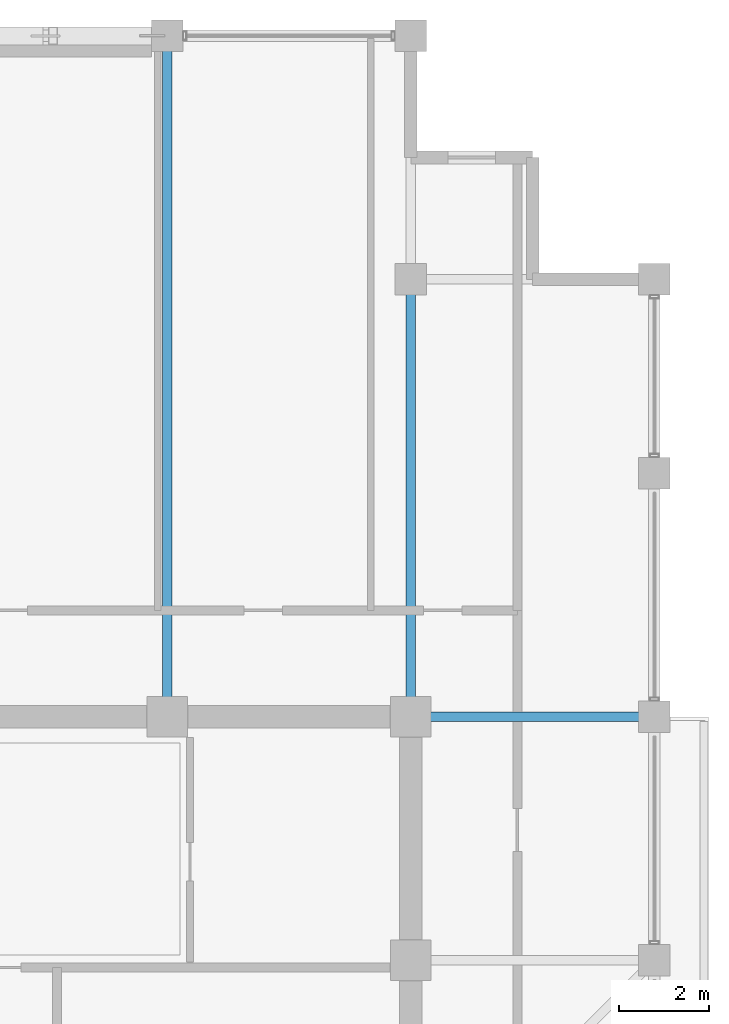
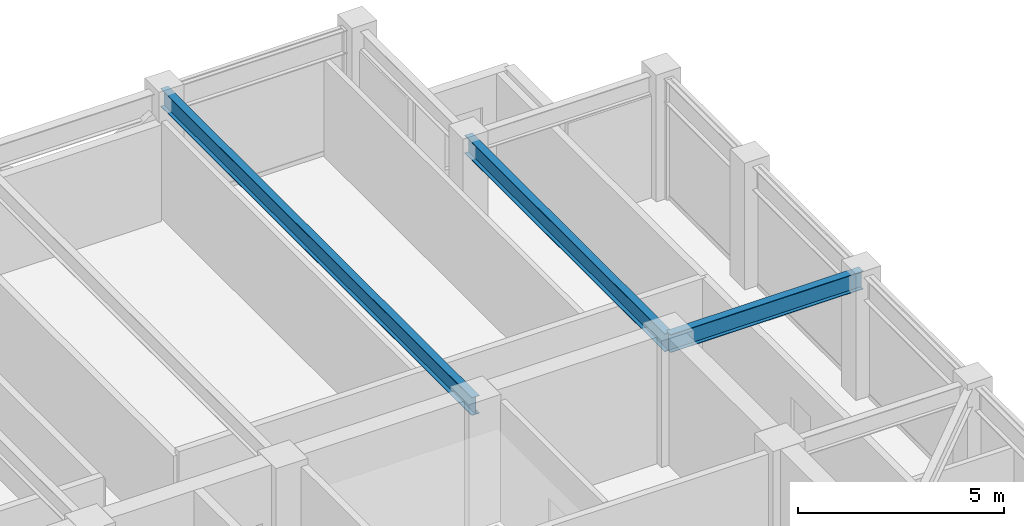
# One storey, part 19 of 30: 3 beams.
"""IFC4 building model written with IfcOpenShell, lengths in metres."""

from ifc_helpers import new_model, si_unit, direction, frame, origin, origin_2d, place, context, subcontext, project, spatial, i_section, extrude, material, material_profile, profile_set, type_object, element, save


model = new_model("IFC4")

# Units and contexts
model_context = context("Model", 3, precision=1e-05, world=origin(), true_north=direction((0.0, 1.0)))
body_context = subcontext(model_context, "Body", "Model", "MODEL_VIEW")
ifc_project = project(units=[si_unit("LENGTHUNIT", "METRE"), si_unit("AREAUNIT", "SQUARE_METRE"), si_unit("VOLUMEUNIT", "CUBIC_METRE"), si_unit("PLANEANGLEUNIT", "RADIAN"), si_unit("MASSUNIT", "GRAM", prefix="KILO")], contexts=[model_context])

# Site, building, storey
site_placement = place(None, origin())
site = spatial("IfcSite", under=ifc_project, at=site_placement, CompositionType="ELEMENT")
building_placement = place(site_placement, origin())
building = spatial("IfcBuilding", under=site, at=building_placement, Name="Surkhivell Harbour Commons", CompositionType="ELEMENT")
storey_placement = place(building_placement, frame((0.0, 0.0, 281.25)))
storey = spatial("IfcBuildingStorey", under=building, at=storey_placement, Name="L73", CompositionType="ELEMENT", Elevation=281.25)

# Beams
ifc_material = material(Name="Steel S355", Category="steel")
ifc_material_profile = material_profile(ifc_material, i_section(OverallWidth=0.2099609375, OverallDepth=0.537109375, WebThickness=0.0107421875, FlangeThickness=0.017333984375, at=origin_2d()), Name="UB533x210x101")
ifc_profile_set = profile_set([ifc_material_profile], Name="Steel S355")
beam_type = type_object("IfcBeamType", Name="BM-GRD-533B", PredefinedType="BEAM", material=ifc_profile_set)
beam_1_placement = place(storey_placement, frame((5.39990234375, 10.800048828125, 3.301513671875), z_axis=(0.0, 1.0, 0.0), x_axis=(-1.0, 0.0, 0.0)))
element("IfcBeam", 1, at=beam_1_placement, inside=storey, type_object=beam_type, Name="L73 Floor Girder (5.4,10.8)", PredefinedType="BEAM", context=body_context, shape_type="SweptSolid", body=[
    extrude(i_section(OverallWidth=0.2099609375, OverallDepth=0.537109375, WebThickness=0.0107421875, FlangeThickness=0.017333984375, at=origin_2d()), origin(), (0.0, 0.0, 1.0), 15.099853515625),
])
beam_2_placement = place(storey_placement, frame((10.800048828125, 10.800048828125, 3.301513671875), z_axis=(0.0, 1.0, 0.0), x_axis=(-1.0, 0.0, 0.0)))
element("IfcBeam", 2, at=beam_2_placement, inside=storey, type_object=beam_type, Name="L73 Floor Girder (10.8,10.8)", PredefinedType="BEAM", context=body_context, shape_type="SweptSolid", body=[
    extrude(i_section(OverallWidth=0.2099609375, OverallDepth=0.537109375, WebThickness=0.0107421875, FlangeThickness=0.017333984375, at=origin_2d()), origin(), (0.0, 0.0, 1.0), 9.699951171875),
])
beam_3_placement = place(storey_placement, frame((10.800048828125, 10.800048828125, 3.301513671875), z_axis=(1.0, 0.0, 0.0), x_axis=(0.0, 1.0, 0.0)))
element("IfcBeam", 3, at=beam_3_placement, inside=storey, type_object=beam_type, Name="L73 Floor Girder (10.8,10.8)", PredefinedType="BEAM", context=body_context, shape_type="SweptSolid", body=[
    extrude(i_section(OverallWidth=0.2099609375, OverallDepth=0.537109375, WebThickness=0.0107421875, FlangeThickness=0.017333984375, at=origin_2d()), origin(), (0.0, 0.0, 1.0), 5.39990234375),
])

save(model, "model.ifc")
